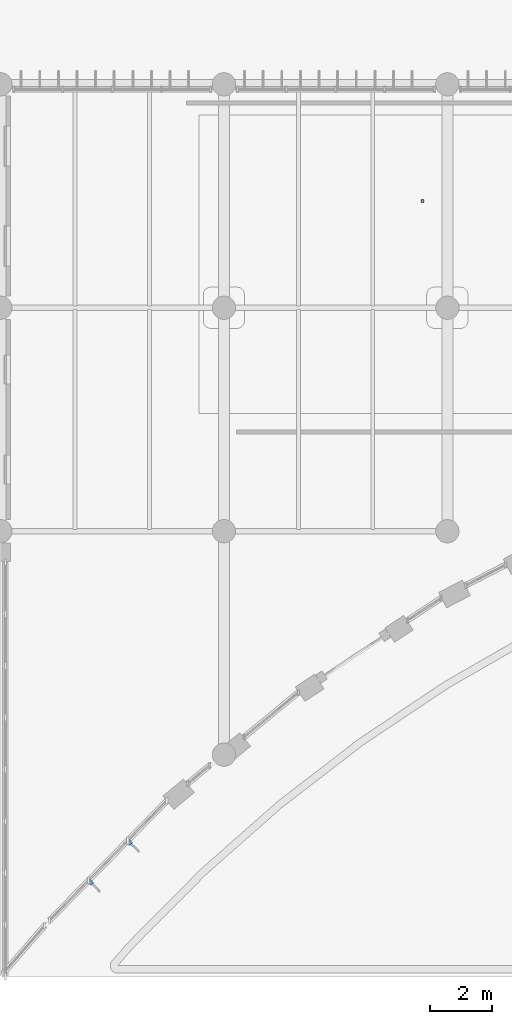
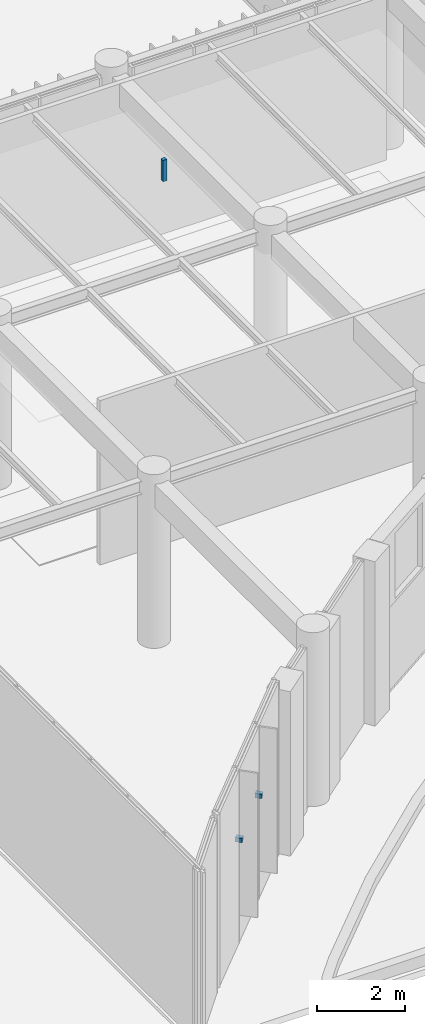
# One storey, part 43 of 122: 3 discrete accessories.
"""IFC4 building model written with IfcOpenShell, lengths in metres."""

from ifc_helpers import new_model, si_unit, direction, frame, origin, origin_2d, place, context, subcontext, project, spatial, rectangle, extrude, material, type_object, element, save


model = new_model("IFC4")

# Units and contexts
model_context = context("Model", 3, precision=1e-05, world=origin(), true_north=direction((0.0, 1.0)))
body_context = subcontext(model_context, "Body", "Model", "MODEL_VIEW")
ifc_project = project(units=[si_unit("LENGTHUNIT", "METRE"), si_unit("AREAUNIT", "SQUARE_METRE"), si_unit("VOLUMEUNIT", "CUBIC_METRE"), si_unit("PLANEANGLEUNIT", "RADIAN"), si_unit("MASSUNIT", "GRAM", prefix="KILO")], contexts=[model_context])

# Site, building, storey
site_placement = place(None, origin())
site = spatial("IfcSite", under=ifc_project, at=site_placement, CompositionType="ELEMENT")
building_placement = place(site_placement, origin())
building = spatial("IfcBuilding", under=site, at=building_placement, Name="Tazoul Stagehouse", CompositionType="ELEMENT")
storey_placement = place(building_placement, origin())
storey = spatial("IfcBuildingStorey", under=building, at=storey_placement, Name="L00", CompositionType="ELEMENT", Elevation=0.0)

# Discrete accessories
ifc_material = material(Name="Austenitic Stainless Steel EN 1.4401", Category="steel")
discrete_accessory_type_1 = type_object("IfcDiscreteAccessoryType", Name="Interior Acoustic Hanger Bracket", PredefinedType="BRACKET", material=ifc_material)
discrete_accessory_placement = place(storey_placement, frame((49.60009765625, 26.4375, 3.97998046875), z_axis=(0.0, 0.0, 1.0), x_axis=(1.0, 0.0, 0.0)))
element("IfcDiscreteAccessory", 1, at=discrete_accessory_placement, inside=storey, type_object=discrete_accessory_type_1, Name="L00 Grand Crescent Civic Foyer Ceiling Suspension Bracket", PredefinedType="BRACKET", context=body_context, shape_type="SweptSolid", body=[
    extrude(rectangle(XDim=0.10009765625, YDim=0.10009765625, at=origin_2d()), origin(), (0.0, 0.0, 1.0), 0.590087890625),
])
discrete_accessory_type_2 = type_object("IfcDiscreteAccessoryType", Name="Stainless Steel Louvre Support Cleat Bracket", PredefinedType="BRACKET", material=ifc_material)
for number, where, z_axis, x_axis, name in (
    (2, (38.899169921875, 4.4921875, 2.78564453125), (0.0, 0.0, 1.0), (0.700246698398, 0.713900946479, 0.0), "Cleat Bracket BRK-01 CW-V5-CRN-L00-C02-BRK01"),
    (3, (40.1572265625, 5.774658203125, 2.78564453125), (0.0, 0.0, 1.0), (0.700246698398, 0.713900946479, 0.0), "Cleat Bracket BRK-01 CW-V5-CRN-L00-C02-BRK02"),
):
    element("IfcDiscreteAccessory", number, at=place(storey_placement, frame(where, z_axis=z_axis, x_axis=x_axis)), inside=storey, type_object=discrete_accessory_type_2, Name=name, PredefinedType="BRACKET", context=body_context, shape_type="SweptSolid", body=[
        extrude(rectangle(XDim=0.1201171875, YDim=0.159912109375, at=origin_2d()), origin(), (0.0, 0.0, 1.0), 0.1201171875),
    ])

save(model, "model.ifc")
